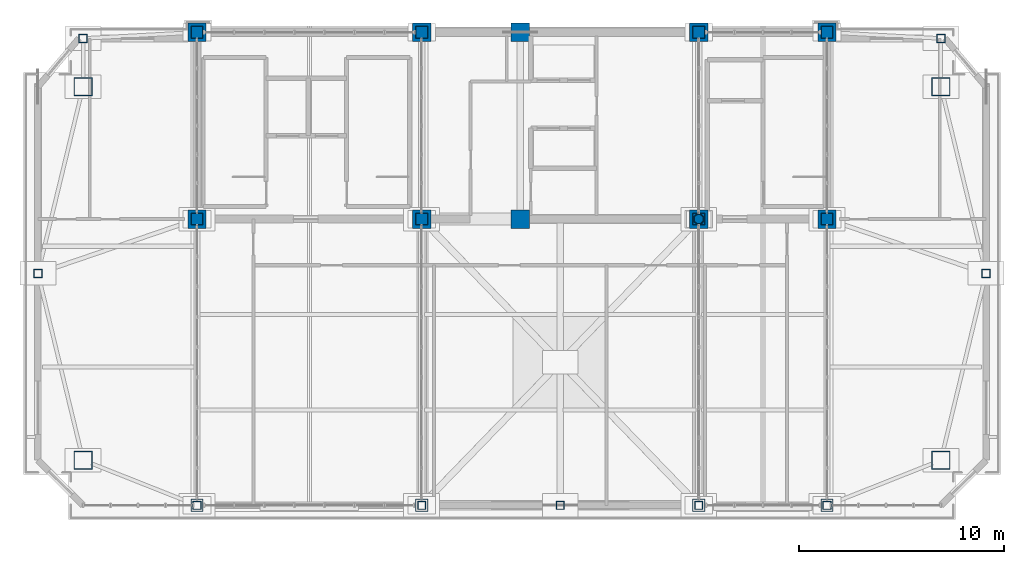
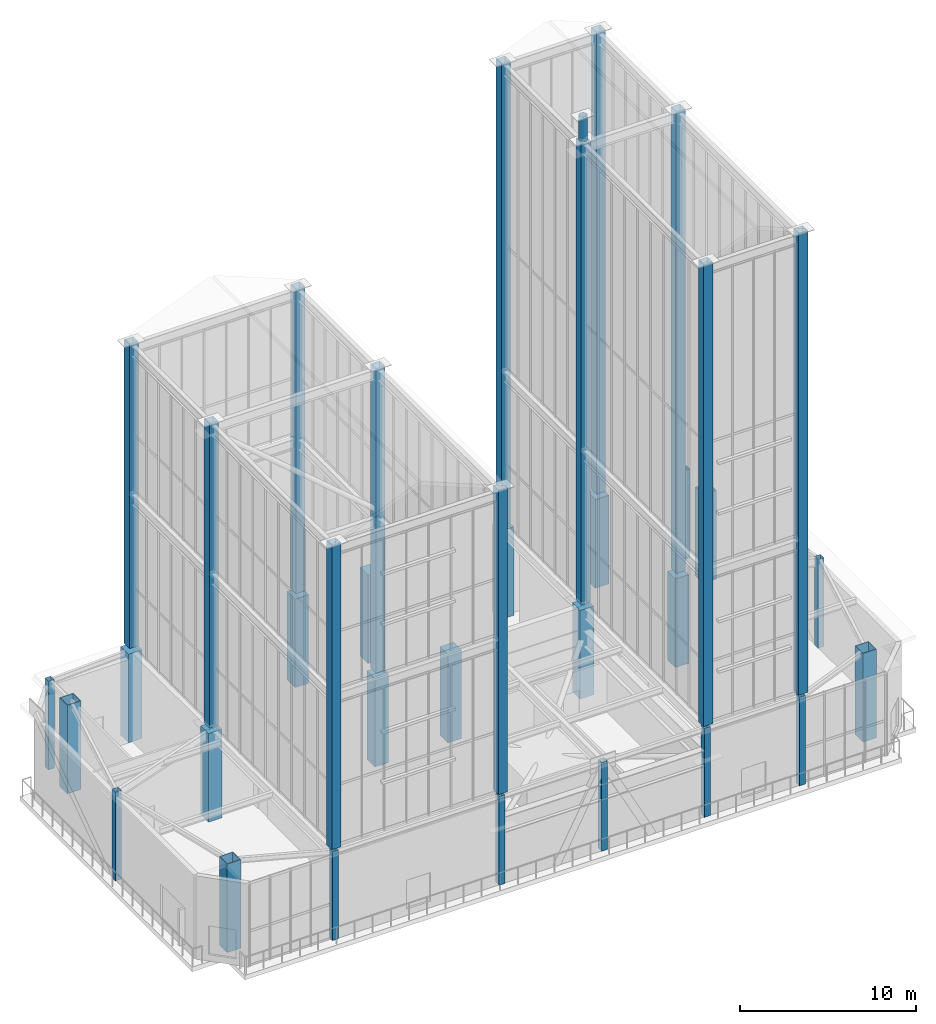
# One storey, part 1 of 135: 36 columns.
"""IFC4 building model written with IfcOpenShell, lengths in metres."""

import ifcopenshell
import ifcopenshell.guid

model = None  # the IFC model being written
_history = None  # IfcOwnerHistory: only IFC2X3 demands one
_inside = {}  # id of a spatial element -> (the spatial element, [elements in it])
_under = {}  # id of a project, library or spatial element -> (it, [spatial elements below it])
_declared = {}  # id of a project -> (the project, [libraries it declares])
_typed = {}  # id of a type object -> (the type object, [elements of that type])
_made_of = {}  # id of a material, layer set ... -> (it, [elements and type objects made of it])


def new_model(schema):
    """Start an empty IFC model of exactly this schema.

    Asked for "IFC4X3", IfcOpenShell would pick the latest addendum, in which some entities
    have other attributes; the version numbers below select the first issue.
    IFC2X3 requires an IfcOwnerHistory on every rooted entity: one is made here for all.
    """
    global model, _history
    if schema == "IFC4X3":
        model = ifcopenshell.file(schema_version=(4, 3, 0, 0))
    else:
        model = ifcopenshell.file(schema=schema)
    _inside.clear()
    _under.clear()
    _declared.clear()
    _typed.clear()
    _made_of.clear()
    _history = None
    if model.schema == "IFC2X3":
        org = make("IfcOrganization", Name="unknown")
        user = make(
            "IfcPersonAndOrganization",
            ThePerson=make("IfcPerson", FamilyName="unknown"),
            TheOrganization=org,
        )
        app = make(
            "IfcApplication",
            ApplicationDeveloper=org,
            Version="unknown",
            ApplicationFullName="unknown",
            ApplicationIdentifier="unknown",
        )
        _history = make(
            "IfcOwnerHistory",
            OwningUser=user,
            OwningApplication=app,
            ChangeAction="ADDED",
            CreationDate=0,
        )
    return model


def make(cls, **values):
    """One entity of the class cls with the attributes given. An attribute that is None is left unset."""
    return model.create_entity(
        cls, **{name: value for name, value in values.items() if value is not None}
    )


def rooted(cls, **values):
    """An entity with a GlobalId (a new one), such as an element, a storey or a relation."""
    return make(cls, GlobalId=ifcopenshell.guid.new(), OwnerHistory=_history, **values)


def si_unit(unit_type, name, prefix=None):
    """IfcSIUnit, for example si_unit("LENGTHUNIT", "METRE", prefix="MILLI")."""
    return make("IfcSIUnit", UnitType=unit_type, Prefix=prefix, Name=name)


def assignment(units):
    """IfcUnitAssignment: the units of a project."""
    return None if units is None else make("IfcUnitAssignment", Units=units)


def point(xyz):
    """IfcCartesianPoint."""
    return None if xyz is None else make("IfcCartesianPoint", Coordinates=xyz)


def direction(xyz):
    """IfcDirection."""
    return None if xyz is None else make("IfcDirection", DirectionRatios=xyz)


def frame(location, z_axis=None, x_axis=None):
    """IfcAxis2Placement3D, a coordinate frame: its origin and axes. An axis left out is left unset."""
    return make(
        "IfcAxis2Placement3D",
        Location=point(location),
        Axis=direction(z_axis),
        RefDirection=direction(x_axis),
    )


def frame_2d(location, x_axis=None):
    """IfcAxis2Placement2D, a coordinate frame in the plane: its origin and x axis."""
    return make(
        "IfcAxis2Placement2D", Location=point(location), RefDirection=direction(x_axis)
    )


def origin():
    """The frame at (0, 0, 0) with its axes left unset."""
    return frame((0.0, 0.0, 0.0))


def origin_2d():
    """The frame at (0, 0) in the plane with its x axis left unset."""
    return frame_2d((0.0, 0.0))


def place(relative_to, where):
    """IfcLocalPlacement: puts the frame where relative to a parent placement (None: the world)."""
    return make(
        "IfcLocalPlacement", PlacementRelTo=relative_to, RelativePlacement=where
    )


def context(
    kind, dimensions, precision=None, world=None, true_north=None, identifier=None
):
    """IfcGeometricRepresentationContext, for example the 3D "Model" context."""
    return make(
        "IfcGeometricRepresentationContext",
        ContextIdentifier=identifier,
        ContextType=kind,
        CoordinateSpaceDimension=dimensions,
        Precision=precision,
        WorldCoordinateSystem=world,
        TrueNorth=true_north,
    )


def subcontext(parent, identifier, kind, view, scale=None):
    """IfcGeometricRepresentationSubContext, for example "Body" below "Model"."""
    return make(
        "IfcGeometricRepresentationSubContext",
        ContextIdentifier=identifier,
        ContextType=kind,
        ParentContext=parent,
        TargetScale=scale,
        TargetView=view,
    )


def project(units=None, contexts=None):
    """IfcProject with its units and contexts."""
    return rooted(
        "IfcProject",
        Name="project",
        RepresentationContexts=contexts,
        UnitsInContext=assignment(units),
    )


def spatial(cls, under=None, at=None, **own):
    """A site, building, storey or space (cls), placed at a placement, below another one or the project."""
    s = rooted(cls, ObjectPlacement=at, **own)
    if under is not None:
        _under.setdefault(under.id(), (under, []))[1].append(s)
    return s


def profile(cls, at=None, kind="AREA", **sizes):
    """A parametric profile (cls). Its sizes go by their IFC names, for example OverallWidth=200.0."""
    return make(cls, ProfileType=kind, Position=at, **sizes)


def rectangle(**sizes):
    """IfcRectangleProfileDef."""
    return profile("IfcRectangleProfileDef", **sizes)


def hollow_rectangle(**sizes):
    """IfcRectangleHollowProfileDef."""
    return profile("IfcRectangleHollowProfileDef", **sizes)


def hollow_circle(**sizes):
    """IfcCircleHollowProfileDef."""
    return profile("IfcCircleHollowProfileDef", **sizes)


def extrude(swept, where, along, depth):
    """IfcExtrudedAreaSolid: the profile swept, set in the frame where, extruded along a direction by depth."""
    return make(
        "IfcExtrudedAreaSolid",
        SweptArea=swept,
        Position=where,
        ExtrudedDirection=direction(along),
        Depth=depth,
    )


def shape(context_of_items, identifier, shape_type, items):
    """IfcShapeRepresentation: the items that make up one representation, for example the "Body"."""
    return make(
        "IfcShapeRepresentation",
        ContextOfItems=context_of_items,
        RepresentationIdentifier=identifier,
        RepresentationType=shape_type,
        Items=items,
    )


def source(mapping_origin, context_of_items, identifier, shape_type, items):
    """IfcRepresentationMap: a shape defined once, which mapped items show again and again."""
    return make(
        "IfcRepresentationMap",
        MappingOrigin=mapping_origin,
        MappedRepresentation=shape(context_of_items, identifier, shape_type, items),
    )


def transform(
    local_origin,
    x_axis=None,
    y_axis=None,
    z_axis=None,
    scale=None,
    scale2=None,
    scale3=None,
    uniform=True,
):
    """IfcCartesianTransformationOperator3D, or its non-uniform kind. x_axis, y_axis, z_axis: its Axis1, 2, 3."""
    if uniform:
        return make(
            "IfcCartesianTransformationOperator3D",
            Axis1=direction(x_axis),
            Axis2=direction(y_axis),
            LocalOrigin=point(local_origin),
            Scale=scale,
            Axis3=direction(z_axis),
        )
    return make(
        "IfcCartesianTransformationOperator3DnonUniform",
        Axis1=direction(x_axis),
        Axis2=direction(y_axis),
        LocalOrigin=point(local_origin),
        Scale=scale,
        Axis3=direction(z_axis),
        Scale2=scale2,
        Scale3=scale3,
    )


def mapped(mapping_source, mapping_target):
    """IfcMappedItem: shows the shape of a source again, moved by a transform."""
    return make(
        "IfcMappedItem", MappingSource=mapping_source, MappingTarget=mapping_target
    )


def material(Name=None, Category=None):
    """IfcMaterial."""
    return make("IfcMaterial", Name=Name, Category=Category)


def material_profile(
    of_material, cross_section, Name=None, Category=None, Priority=None
):
    """IfcMaterialProfile: a cross section and its material."""
    return make(
        "IfcMaterialProfile",
        Name=Name,
        Material=of_material,
        Profile=cross_section,
        Priority=Priority,
        Category=Category,
    )


def profile_set(profiles, Name=None, composite=None):
    """IfcMaterialProfileSet."""
    return make(
        "IfcMaterialProfileSet",
        Name=Name,
        MaterialProfiles=profiles,
        CompositeProfile=composite,
    )


def made_of(thing, what):
    """Note that an element or type object is made of a material, layer set ...; save() writes the relation."""
    if what is not None:
        _made_of.setdefault(what.id(), (what, []))[1].append(thing)
    return thing


def type_object(cls, material=None, **own):
    """A type object (cls), such as IfcWallType, which elements share."""
    return made_of(rooted(cls, **own), material)


def element(
    cls,
    number,
    at=None,
    inside=None,
    cuts=None,
    type_object=None,
    material=None,
    context=None,
    identifier="Body",
    shape_type=None,
    held_by="IfcProductDefinitionShape",
    body=None,
    shapes=None,
    **own,
):
    """One element of the class cls, such as IfcWall. Its Tag is "e" and its number.

    at: its placement. inside: the storey or other place that contains it. cuts: it is an
    opening in that element (IfcRelVoidsElement). A single representation is given by context,
    identifier, shape_type and body (its items); several are given by shapes. held_by: the class
    of the entity that holds the representations. save() writes the other relations.
    """
    e = rooted(cls, Tag="e%d" % number, ObjectPlacement=at, **own)
    if body is not None:
        shapes = [shape(context, identifier, shape_type, body)]
    if shapes is not None:
        e.Representation = make(held_by, Representations=shapes)
    if inside is not None:
        _inside.setdefault(inside.id(), (inside, []))[1].append(e)
    if cuts is not None:
        rooted(
            "IfcRelVoidsElement", RelatingBuildingElement=cuts, RelatedOpeningElement=e
        )
    if type_object is not None:
        _typed.setdefault(type_object.id(), (type_object, []))[1].append(e)
    return made_of(e, material)


def aggregate(whole, parts):
    """IfcRelAggregates: a whole, such as a stair, and the parts it consists of."""
    return rooted("IfcRelAggregates", RelatingObject=whole, RelatedObjects=parts)


def save(model, path):
    """Write the relations noted so far, then the file.

    IfcRelAggregates (storeys below a building ...), IfcRelContainedInSpatialStructure (elements
    in a storey), IfcRelDefinesByType, IfcRelAssociatesMaterial and IfcRelDeclares: one each for
    every whole, place, type object, material and project.
    """
    for whole, parts in _under.values():
        aggregate(whole, parts)
    for where, things in _inside.values():
        rooted(
            "IfcRelContainedInSpatialStructure",
            RelatedElements=things,
            RelatingStructure=where,
        )
    for kind, things in _typed.values():
        rooted("IfcRelDefinesByType", RelatedObjects=things, RelatingType=kind)
    for what, things in _made_of.values():
        rooted("IfcRelAssociatesMaterial", RelatedObjects=things, RelatingMaterial=what)
    for by, libraries in _declared.values():
        rooted("IfcRelDeclares", RelatingContext=by, RelatedDefinitions=libraries)
    model.write(path)


model = new_model("IFC4")

# Units and contexts
model_context = context("Model", 3, precision=1e-05, world=origin(), true_north=direction((0.0, 1.0)))
body_context = subcontext(model_context, "Body", "Model", "MODEL_VIEW")
ifc_project = project(units=[si_unit("LENGTHUNIT", "METRE"), si_unit("AREAUNIT", "SQUARE_METRE"), si_unit("VOLUMEUNIT", "CUBIC_METRE"), si_unit("PLANEANGLEUNIT", "RADIAN"), si_unit("MASSUNIT", "GRAM", prefix="KILO")], contexts=[model_context])

# Site, building, storey
site_placement = place(None, origin())
site = spatial("IfcSite", under=ifc_project, at=site_placement, CompositionType="ELEMENT")
building_placement = place(site_placement, origin())
building = spatial("IfcBuilding", under=site, at=building_placement, Name="Giltprow Tower", CompositionType="ELEMENT")
storey_placement = place(building_placement, frame((0.0, 0.0, 352.699951171875)))
storey = spatial("IfcBuildingStorey", under=building, at=storey_placement, Name="L92", CompositionType="ELEMENT", Elevation=352.699951171875)

# Columns
ifc_material_1 = material(Name="Concrete C45", Category="concrete")
ifc_material_profile_1 = material_profile(ifc_material_1, rectangle(XDim=0.89990234375, YDim=0.89990234375, at=origin_2d()), Name="RC 900x900")
ifc_profile_set_1 = profile_set([ifc_material_profile_1], Name="Concrete C45")
column_type_1 = type_object("IfcColumnType", Name="PIL-RC-900-C45", PredefinedType="PILASTER", material=ifc_profile_set_1)
shared_shape_1 = source(origin(), body_context, "Body", "SweptSolid", [
    extrude(rectangle(XDim=0.89990234375, YDim=0.89990234375, at=origin_2d()), origin(), (0.0, 0.0, 1.0), 6.16015625),
])
for number, where, z_axis, x_axis, name in (
    (1, (19.85009765625, 37.449951171875, 0.0), (0.0, 0.0, 1.0), (1.0, 0.0, 0.0), "L92 Core Boundary Pilaster 1-1"),
    (2, (19.85009765625, 46.550048828125, 0.0), (0.0, 0.0, 1.0), (1.0, 0.0, 0.0), "L92 Core Boundary Pilaster 1-2"),
    (3, (30.800048828125, 37.449951171875, 0.0), (0.0, 0.0, 1.0), (1.0, 0.0, 0.0), "L92 Core Boundary Pilaster 2-1"),
    (4, (30.800048828125, 46.550048828125, 0.0), (0.0, 0.0, 1.0), (1.0, 0.0, 0.0), "L92 Core Boundary Pilaster 2-2"),
    (5, (35.60009765625, 37.449951171875, 0.0), (0.0, 0.0, 1.0), (1.0, 0.0, 0.0), "L92 Core Boundary Pilaster 3-1"),
    (6, (35.60009765625, 46.550048828125, 0.0), (0.0, 0.0, 1.0), (1.0, 0.0, 0.0), "L92 Core Boundary Pilaster 3-2"),
    (7, (44.300048828125, 37.449951171875, 0.0), (0.0, 0.0, 1.0), (1.0, 0.0, 0.0), "L92 Core Boundary Pilaster 4-1"),
    (8, (44.300048828125, 46.550048828125, 0.0), (0.0, 0.0, 1.0), (1.0, 0.0, 0.0), "L92 Core Boundary Pilaster 4-2"),
    (9, (50.550048828125, 37.449951171875, 0.0), (0.0, 0.0, 1.0), (1.0, 0.0, 0.0), "L92 Core Boundary Pilaster 5-1"),
    (10, (50.550048828125, 46.550048828125, 0.0), (0.0, 0.0, 1.0), (1.0, 0.0, 0.0), "L92 Core Boundary Pilaster 5-2"),
):
    element("IfcColumn", number, at=place(storey_placement, frame(where, z_axis=z_axis, x_axis=x_axis)), inside=storey, type_object=column_type_1, Name=name, PredefinedType="PILASTER", context=body_context, shape_type="MappedRepresentation", body=[
        mapped(shared_shape_1, transform((0.0, 0.0, 0.0), x_axis=(1.0, 0.0, 0.0), y_axis=(0.0, 1.0, 0.0), z_axis=(0.0, 0.0, 1.0), scale=1.0)),
    ])
ifc_material_2 = material(Name="Structural steel Q420GJC", Category="steel")
ifc_material_profile_2 = material_profile(ifc_material_2, hollow_rectangle(XDim=0.89990234375, YDim=0.89990234375, WallThickness=0.0400390625, at=origin_2d()), Name="BOX 900x900x40")
ifc_profile_set_2 = profile_set([ifc_material_profile_2], Name="Structural steel Q420GJC")
column_type_2 = type_object("IfcColumnType", Name="COL-BOX-900x900x40", PredefinedType="COLUMN", material=ifc_profile_set_2)
shared_shape_2 = source(origin(), body_context, "Body", "SweptSolid", [
    extrude(hollow_rectangle(XDim=0.89990234375, YDim=0.89990234375, WallThickness=0.0400390625, at=origin_2d()), origin(), (0.0, 0.0, 1.0), 6.16015625),
])
for number, where, z_axis, x_axis, name in (
    (11, (14.300048828125, 25.699951171875, 0.0), (0.0, 0.0, 1.0), (1.0, 0.0, 0.0), "L92 Mega-Column MC_SW"),
    (12, (56.10009765625, 25.699951171875, 0.0), (0.0, 0.0, 1.0), (1.0, 0.0, 0.0), "L92 Mega-Column MC_SE"),
    (13, (14.300048828125, 43.89990234375, 0.0), (0.0, 0.0, 1.0), (1.0, 0.0, 0.0), "L92 Mega-Column MC_NW"),
    (14, (56.10009765625, 43.89990234375, 0.0), (0.0, 0.0, 1.0), (1.0, 0.0, 0.0), "L92 Mega-Column MC_NE"),
):
    element("IfcColumn", number, at=place(storey_placement, frame(where, z_axis=z_axis, x_axis=x_axis)), inside=storey, type_object=column_type_2, Name=name, PredefinedType="COLUMN", context=body_context, shape_type="MappedRepresentation", body=[
        mapped(shared_shape_2, transform((0.0, 0.0, 0.0), x_axis=(1.0, 0.0, 0.0), y_axis=(0.0, 1.0, 0.0), z_axis=(0.0, 0.0, 1.0), scale=1.0)),
    ])
ifc_material_3 = material(Name="Structural steel Q355B", Category="steel")
ifc_material_profile_3 = material_profile(ifc_material_3, hollow_rectangle(XDim=0.39990234375, YDim=0.39990234375, WallThickness=0.02001953125, at=origin_2d()), Name="BOX 400x400x20")
ifc_profile_set_3 = profile_set([ifc_material_profile_3], Name="Structural steel Q355B")
column_type_3 = type_object("IfcColumnType", Name="COL-BOX-400x400x20", PredefinedType="COLUMN", material=ifc_profile_set_3)
shared_shape_3 = source(origin(), body_context, "Body", "SweptSolid", [
    extrude(hollow_rectangle(XDim=0.39990234375, YDim=0.39990234375, WallThickness=0.02001953125, at=origin_2d()), origin(), (0.0, 0.0, 1.0), 6.16015625),
])
for number, where, z_axis, x_axis, name in (
    (15, (19.85009765625, 23.5, 0.0), (0.0, 0.0, 1.0), (1.0, 0.0, 0.0), "L92 Perimeter Column S1"),
    (16, (30.800048828125, 23.5, 0.0), (0.0, 0.0, 1.0), (1.0, 0.0, 0.0), "L92 Perimeter Column S2"),
    (17, (37.550048828125, 23.5, 0.0), (0.0, 0.0, 1.0), (1.0, 0.0, 0.0), "L92 Perimeter Column S_MID"),
    (18, (44.300048828125, 23.5, 0.0), (0.0, 0.0, 1.0), (1.0, 0.0, 0.0), "L92 Perimeter Column S3"),
    (19, (50.550048828125, 23.5, 0.0), (0.0, 0.0, 1.0), (1.0, 0.0, 0.0), "L92 Perimeter Column S4"),
    (20, (12.10009765625, 34.800048828125, 0.0), (0.0, 0.0, 1.0), (1.0, 0.0, 0.0), "L92 Perimeter Column W_MID"),
    (21, (58.300048828125, 34.800048828125, 0.0), (0.0, 0.0, 1.0), (1.0, 0.0, 0.0), "L92 Perimeter Column E_MID"),
    (22, (14.300048828125, 46.25, 0.0), (0.0, 0.0, 1.0), (1.0, 0.0, 0.0), "L92 Perimeter Column N_W"),
    (23, (56.10009765625, 46.25, 0.0), (0.0, 0.0, 1.0), (1.0, 0.0, 0.0), "L92 Perimeter Column N_E"),
):
    element("IfcColumn", number, at=place(storey_placement, frame(where, z_axis=z_axis, x_axis=x_axis)), inside=storey, type_object=column_type_3, Name=name, PredefinedType="COLUMN", context=body_context, shape_type="MappedRepresentation", body=[
        mapped(shared_shape_3, transform((0.0, 0.0, 0.0), x_axis=(1.0, 0.0, 0.0), y_axis=(0.0, 1.0, 0.0), z_axis=(0.0, 0.0, 1.0), scale=1.0)),
    ])
ifc_material_profile_4 = material_profile(ifc_material_3, hollow_rectangle(XDim=0.60009765625, YDim=0.60009765625, WallThickness=0.028076171875, at=origin_2d()), Name="BOX 600x600x28")
ifc_profile_set_4 = profile_set([ifc_material_profile_4], Name="Structural steel Q355B")
column_type_4 = type_object("IfcColumnType", Name="COL-CRN-POST-BOX600", PredefinedType="COLUMN", material=ifc_profile_set_4)
shared_shape_4 = source(origin(), body_context, "Body", "SweptSolid", [
    extrude(hollow_rectangle(XDim=0.60009765625, YDim=0.60009765625, WallThickness=0.028076171875, at=origin_2d()), origin(), (0.0, 0.0, 1.0), 21.14697265625),
])
for number, where, z_axis, x_axis, name in (
    (24, (19.85009765625, 23.5, 6.400146484375), (0.0, 0.0, 1.0), (1.0, 0.0, 0.0), "Crown Frame West Post 1"),
    (25, (30.800048828125, 23.5, 6.400146484375), (0.0, 0.0, 1.0), (1.0, 0.0, 0.0), "Crown Frame West Post 2"),
    (26, (30.800048828125, 37.449951171875, 6.400146484375), (0.0, 0.0, 1.0), (1.0, 0.0, 0.0), "Crown Frame West Post 3"),
    (27, (30.800048828125, 46.550048828125, 6.400146484375), (0.0, 0.0, 1.0), (1.0, 0.0, 0.0), "Crown Frame West Post 4"),
    (28, (19.85009765625, 46.550048828125, 6.400146484375), (0.0, 0.0, 1.0), (1.0, 0.0, 0.0), "Crown Frame West Post 5"),
    (29, (19.85009765625, 37.449951171875, 6.400146484375), (0.0, 0.0, 1.0), (1.0, 0.0, 0.0), "Crown Frame West Post 6"),
):
    element("IfcColumn", number, at=place(storey_placement, frame(where, z_axis=z_axis, x_axis=x_axis)), inside=storey, type_object=column_type_4, Name=name, PredefinedType="COLUMN", context=body_context, shape_type="MappedRepresentation", body=[
        mapped(shared_shape_4, transform((0.0, 0.0, 0.0), x_axis=(1.0, 0.0, 0.0), y_axis=(0.0, 1.0, 0.0), z_axis=(0.0, 0.0, 1.0), scale=1.0)),
    ])
shared_shape_5 = source(origin(), body_context, "Body", "SweptSolid", [
    extrude(hollow_rectangle(XDim=0.60009765625, YDim=0.60009765625, WallThickness=0.028076171875, at=origin_2d()), origin(), (0.0, 0.0, 1.0), 32.095947265625),
])
for number, where, z_axis, x_axis, name in (
    (30, (44.300048828125, 23.5, 6.400146484375), (0.0, 0.0, 1.0), (1.0, 0.0, 0.0), "Crown Frame East Post 1"),
    (31, (50.550048828125, 23.5, 6.400146484375), (0.0, 0.0, 1.0), (1.0, 0.0, 0.0), "Crown Frame East Post 2"),
    (32, (50.550048828125, 37.449951171875, 6.400146484375), (0.0, 0.0, 1.0), (1.0, 0.0, 0.0), "Crown Frame East Post 3"),
    (33, (50.550048828125, 46.550048828125, 6.400146484375), (0.0, 0.0, 1.0), (1.0, 0.0, 0.0), "Crown Frame East Post 4"),
    (34, (44.300048828125, 46.550048828125, 6.400146484375), (0.0, 0.0, 1.0), (1.0, 0.0, 0.0), "Crown Frame East Post 5"),
    (35, (44.300048828125, 37.449951171875, 6.400146484375), (0.0, 0.0, 1.0), (1.0, 0.0, 0.0), "Crown Frame East Post 6"),
):
    element("IfcColumn", number, at=place(storey_placement, frame(where, z_axis=z_axis, x_axis=x_axis)), inside=storey, type_object=column_type_4, Name=name, PredefinedType="COLUMN", context=body_context, shape_type="MappedRepresentation", body=[
        mapped(shared_shape_5, transform((0.0, 0.0, 0.0), x_axis=(1.0, 0.0, 0.0), y_axis=(0.0, 1.0, 0.0), z_axis=(0.0, 0.0, 1.0), scale=1.0)),
    ])
ifc_material_profile_5 = material_profile(ifc_material_3, hollow_circle(Radius=0.25390625, WallThickness=0.02392578125, at=origin_2d()), Name="CHS 508x24")
ifc_profile_set_5 = profile_set([ifc_material_profile_5], Name="Structural steel Q355B")
column_type_5 = type_object("IfcColumnType", Name="COL-CROWN-FINIAL-MAST", PredefinedType="COLUMN", material=ifc_profile_set_5)
shared_shape_6 = source(origin(), body_context, "Body", "SweptSolid", [
    extrude(hollow_circle(Radius=0.25390625, WallThickness=0.02392578125, at=origin_2d()), origin(), (0.0, 0.0, 1.0), 1.703857421875),
])
column_placement = place(storey_placement, frame((44.300048828125, 37.449951171875, 38.49609375), z_axis=(0.0, 0.0, 1.0), x_axis=(1.0, 0.0, 0.0)))
element("IfcColumn", 36, at=column_placement, inside=storey, type_object=column_type_5, Name="Crown Finial Mast FN1", PredefinedType="COLUMN", context=body_context, shape_type="MappedRepresentation", body=[
    mapped(shared_shape_6, transform((0.0, 0.0, 0.0), x_axis=(1.0, 0.0, 0.0), y_axis=(0.0, 1.0, 0.0), z_axis=(0.0, 0.0, 1.0), scale=1.0)),
])

save(model, "model.ifc")
